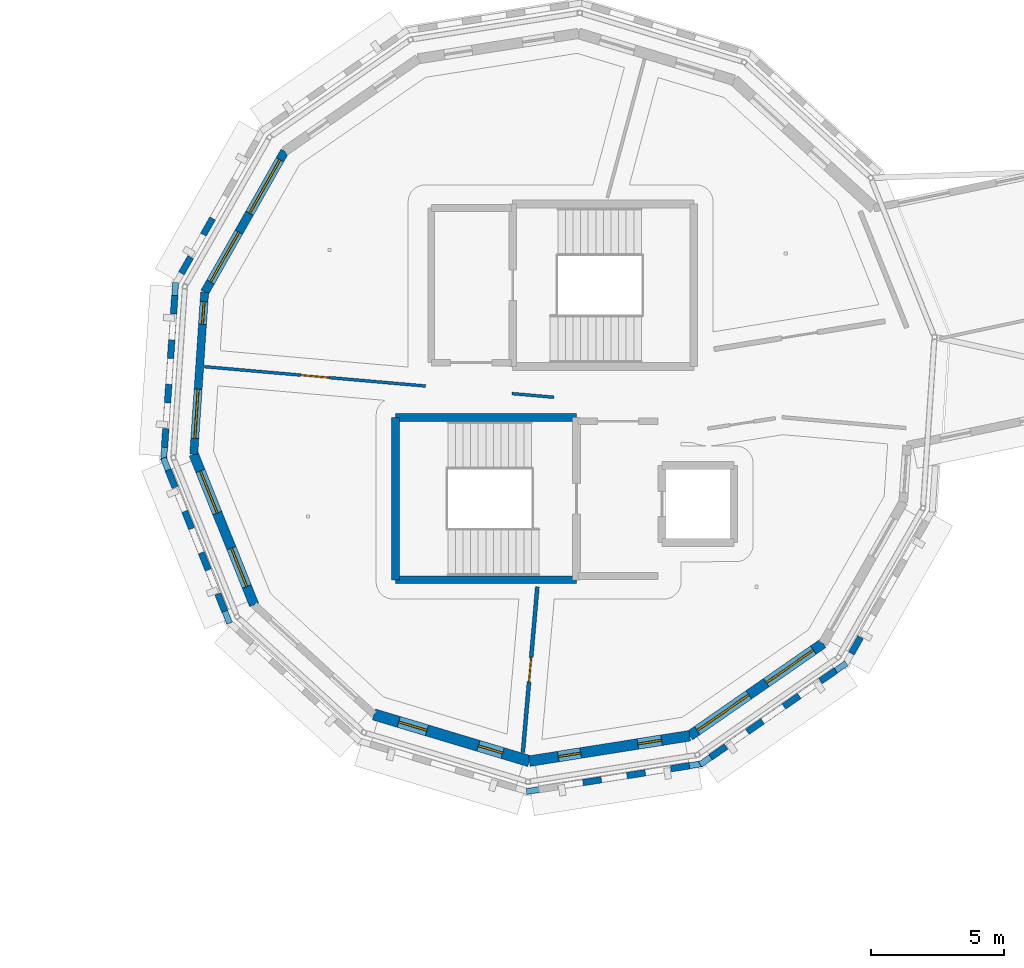
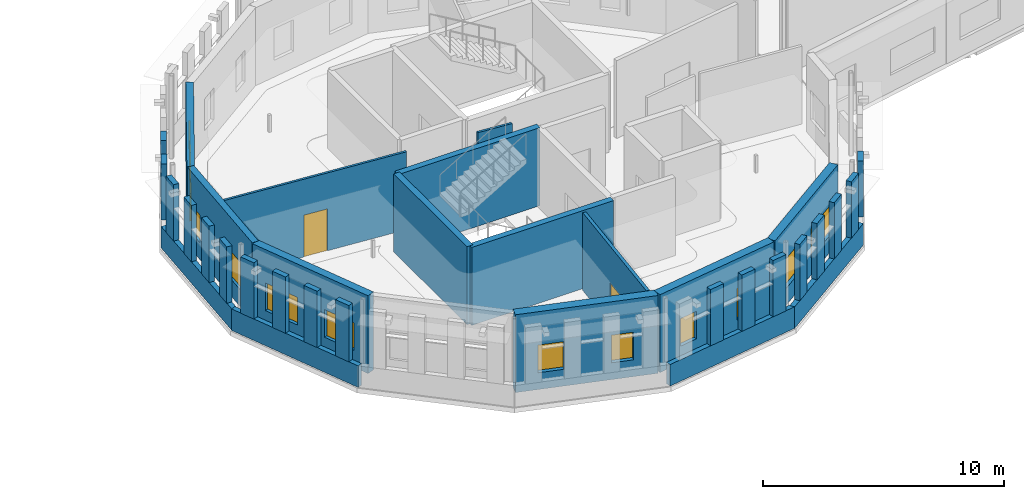
# One storey, part 41 of 68: 34 walls, 12 windows, 2 doors, 14 openings.
"""IFC4 building model written with IfcOpenShell, lengths in metres."""

from ifc_helpers import new_model, si_unit, direction, frame, frame_2d, origin, place, context, subcontext, project, spatial, rectangle, extrude, material, layer, layer_set, type_object, element, fill, save


model = new_model("IFC4")

# Units and contexts
model_context = context("Model", 3, precision=1e-05, world=origin(), true_north=direction((0.0, 1.0)))
body_context = subcontext(model_context, "Body", "Model", "MODEL_VIEW")
ifc_project = project(units=[si_unit("LENGTHUNIT", "METRE"), si_unit("AREAUNIT", "SQUARE_METRE"), si_unit("VOLUMEUNIT", "CUBIC_METRE"), si_unit("PLANEANGLEUNIT", "RADIAN"), si_unit("MASSUNIT", "GRAM", prefix="KILO")], contexts=[model_context])

# Site, building, storey
site_placement = place(None, origin())
site = spatial("IfcSite", under=ifc_project, at=site_placement, CompositionType="ELEMENT")
building_placement = place(site_placement, origin())
building = spatial("IfcBuilding", under=site, at=building_placement, Name="Wrenclough Park School", CompositionType="ELEMENT")
storey_placement = place(building_placement, frame((0.0, 0.0, 12.60009765625)))
storey = spatial("IfcBuildingStorey", under=building, at=storey_placement, Name="L03", CompositionType="ELEMENT", Elevation=12.60009765625)

# Walls
ifc_material_1 = material(Name="Perforated open-bond Staffordshire and Manchester brick screen pier", Category="masonry")
ifc_layer_1 = layer(ifc_material_1, 0.2451171875)
ifc_layer_set_1 = layer_set([ifc_layer_1], Name="Perforated open-bond Staffordshire and Manchester brick screen pier")
wall_type_1 = type_object("IfcWallType", Name="ENV-BS-PR245", PredefinedType="ELEMENTEDWALL", material=ifc_layer_set_1)
wall_1_placement = place(storey_placement, frame((70.19873046875, 115.207275390625, 1.08984375), z_axis=(0.0, 0.0, 1.0), x_axis=(-0.493548557981, -0.869718242257, 0.0)))
element("IfcWall", 1, at=wall_1_placement, inside=storey, type_object=wall_type_1, Name="D4 L03 perforated brick screen pier 0817", PredefinedType="ELEMENTEDWALL", context=body_context, shape_type="SweptSolid", body=[
    extrude(rectangle(XDim=0.700927734375, YDim=0.2451171875, at=frame_2d((0.3505859375, 0.0))), origin(), (0.0, 0.0, 1.0), 2.85009765625),
])
wall_2_placement = place(storey_placement, frame((69.375, 113.755859375, 1.08984375), z_axis=(0.0, 0.0, 1.0), x_axis=(-0.49339908657, -0.869803047461, 0.0)))
element("IfcWall", 2, at=wall_2_placement, inside=storey, type_object=wall_type_1, Name="D4 L03 perforated brick screen pier 0818", PredefinedType="ELEMENTEDWALL", context=body_context, shape_type="SweptSolid", body=[
    extrude(rectangle(XDim=0.701171875, YDim=0.2451171875, at=frame_2d((0.3505859375, 0.0))), origin(), (0.0, 0.0, 1.0), 2.85009765625),
])
wall_3_placement = place(storey_placement, frame((68.78076171875, 112.319091796875, 1.08984375), z_axis=(0.0, 0.0, 1.0), x_axis=(-0.067212414297, -0.997738688918, 0.0)))
element("IfcWall", 3, at=wall_3_placement, inside=storey, type_object=wall_type_1, Name="D4 L03 perforated brick screen pier 0819", PredefinedType="ELEMENTEDWALL", context=body_context, shape_type="SweptSolid", body=[
    extrude(rectangle(XDim=0.700927734375, YDim=0.2451171875, at=frame_2d((0.3505859375, 0.0))), origin(), (0.0, 0.0, 1.0), 2.85009765625),
])
wall_4_placement = place(storey_placement, frame((68.66845703125, 110.65380859375, 1.08984375), z_axis=(0.0, 0.0, 1.0), x_axis=(-0.067235776247, -0.997737114872, 0.0)))
element("IfcWall", 4, at=wall_4_placement, inside=storey, type_object=wall_type_1, Name="D4 L03 perforated brick screen pier 0820", PredefinedType="ELEMENTEDWALL", context=body_context, shape_type="SweptSolid", body=[
    extrude(rectangle(XDim=0.70068359375, YDim=0.2451171875, at=frame_2d((0.350341796875, 0.0))), origin(), (0.0, 0.0, 1.0), 2.85009765625),
])
for number, where, z_axis, x_axis, name in (
    (5, (68.55615234375, 108.98876953125, 1.08984375), (0.0, 0.0, 1.0), (-0.067212414297, -0.997738688918, 0.0), "D4 L03 perforated brick screen pier 0821"),
    (6, (68.444091796875, 107.32373046875, 1.08984375), (0.0, 0.0, 1.0), (-0.067212414297, -0.997738688918, 0.0), "D4 L03 perforated brick screen pier 0822"),
    (7, (68.531982421875, 105.771240234375, 1.08984375), (0.0, 0.0, 1.0), (0.372291177019, -0.928115983869, 0.0), "D4 L03 perforated brick screen pier 0823"),
    (8, (69.1533203125, 104.222412109375, 1.08984375), (0.0, 0.0, 1.0), (0.372291177019, -0.928115983869, 0.0), "D4 L03 perforated brick screen pier 0824"),
    (9, (69.774658203125, 102.67333984375, 1.08984375), (0.0, 0.0, 1.0), (0.372291177019, -0.928115983869, 0.0), "D4 L03 perforated brick screen pier 0825"),
    (10, (70.39599609375, 101.12451171875, 1.08984375), (0.0, 0.0, 1.0), (0.372291177019, -0.928115983869, 0.0), "D4 L03 perforated brick screen pier 0826"),
    (11, (84.089111328125, 94.048583984375, 1.08984375), (0.0, 0.0, 1.0), (0.987697931756, 0.156373896812, 0.0), "D4 L03 perforated brick screen pier 0836"),
    (12, (85.737548828125, 94.309814453125, 1.08984375), (0.0, 0.0, 1.0), (0.987751666832, 0.156034113801, 0.0), "D4 L03 perforated brick screen pier 0837"),
    (13, (87.3857421875, 94.57080078125, 1.08984375), (0.0, 0.0, 1.0), (0.987697931756, 0.156373896812, 0.0), "D4 L03 perforated brick screen pier 0838"),
    (14, (88.879638671875, 95.001953125, 1.08984375), (0.0, 0.0, 1.0), (0.822004061083, 0.569481627064, 0.0), "D4 L03 perforated brick screen pier 0839"),
    (15, (90.251708984375, 95.952392578125, 1.08984375), (0.0, 0.0, 1.0), (0.822004061083, 0.569481627064, 0.0), "D4 L03 perforated brick screen pier 0840"),
):
    element("IfcWall", number, at=place(storey_placement, frame(where, z_axis=z_axis, x_axis=x_axis)), inside=storey, type_object=wall_type_1, Name=name, PredefinedType="ELEMENTEDWALL", context=body_context, shape_type="SweptSolid", body=[
        extrude(rectangle(XDim=0.700927734375, YDim=0.2451171875, at=frame_2d((0.3505859375, 0.0))), origin(), (0.0, 0.0, 1.0), 2.85009765625),
    ])
wall_5_placement = place(storey_placement, frame((91.623291015625, 96.902587890625, 1.08984375), z_axis=(0.0, 0.0, 1.0), x_axis=(0.821953993254, 0.569553889438, 0.0)))
element("IfcWall", 16, at=wall_5_placement, inside=storey, type_object=wall_type_1, Name="D4 L03 perforated brick screen pier 0841", PredefinedType="ELEMENTEDWALL", context=body_context, shape_type="SweptSolid", body=[
    extrude(rectangle(XDim=0.701171875, YDim=0.2451171875, at=frame_2d((0.3505859375, 0.0))), origin(), (0.0, 0.0, 1.0), 2.85009765625),
])
for number, where, z_axis, x_axis, name in (
    (17, (92.995361328125, 97.85302734375, 1.08984375), (0.0, 0.0, 1.0), (0.822004061083, 0.569481627064, 0.0), "D4 L03 perforated brick screen pier 0842"),
    (18, (94.154052734375, 98.8896484375, 1.08984375), (0.0, 0.0, 1.0), (0.493548557981, 0.869718242257, 0.0), "D4 L03 perforated brick screen pier 0843"),
):
    element("IfcWall", number, at=place(storey_placement, frame(where, z_axis=z_axis, x_axis=x_axis)), inside=storey, type_object=wall_type_1, Name=name, PredefinedType="ELEMENTEDWALL", context=body_context, shape_type="SweptSolid", body=[
        extrude(rectangle(XDim=0.700927734375, YDim=0.2451171875, at=frame_2d((0.3505859375, 0.0))), origin(), (0.0, 0.0, 1.0), 2.85009765625),
    ])
ifc_material_2 = material(Name="Open-bond Manchester multi-stock brick spandrel screen", Category="masonry")
ifc_layer_2 = layer(ifc_material_2, 0.22509765625)
ifc_layer_set_2 = layer_set([ifc_layer_2], Name="Open-bond Manchester multi-stock brick spandrel screen")
wall_type_2 = type_object("IfcWallType", Name="ENV-BS-SP225", PredefinedType="ELEMENTEDWALL", material=ifc_layer_set_2)
for number, where, z_axis, x_axis, name in (
    (19, (68.813232421875, 112.802001953125, 0.0), (0.0, 0.0, 1.0), (-0.067254462218, -0.997735855481, 0.0), "D4 L03 open-bond brick screen spandrel 0219"),
    (20, (68.351806640625, 106.220458984375, 0.0), (0.0, 0.0, 1.0), (0.372298482328, -0.928113053489, 0.0), "D4 L03 open-bond brick screen spandrel 0220"),
):
    element("IfcWall", number, at=place(storey_placement, frame(where, z_axis=z_axis, x_axis=x_axis)), inside=storey, type_object=wall_type_2, Name=name, PredefinedType="ELEMENTEDWALL", context=body_context, shape_type="SweptSolid", body=[
        extrude(rectangle(XDim=6.67578125, YDim=0.22509765625, at=frame_2d((3.337890625, 0.0))), origin(), (0.0, 0.0, 1.0), 1.08984375),
    ])
for number, where, z_axis, x_axis, name in (
    (21, (81.962890625, 93.7119140625, 0.0), (0.0, 0.0, 1.0), (0.987690206406, 0.156422684322, 0.0), "D4 L03 open-bond brick screen spandrel 0223"),
    (22, (88.48193359375, 94.726318359375, 0.0), (0.0, 0.0, 1.0), (0.822009139105, 0.56947429725, 0.0), "D4 L03 open-bond brick screen spandrel 0224"),
):
    element("IfcWall", number, at=place(storey_placement, frame(where, z_axis=z_axis, x_axis=x_axis)), inside=storey, type_object=wall_type_2, Name=name, PredefinedType="ELEMENTEDWALL", context=body_context, shape_type="SweptSolid", body=[
        extrude(rectangle(XDim=6.675537109375, YDim=0.22509765625, at=frame_2d((3.337890625, 0.0))), origin(), (0.0, 0.0, 1.0), 1.08984375),
    ])

# Wall, openings, windows
ifc_material_3 = material(Name="Manchester multi-stock brick and Concrete C32/40 inner leaf", Category="masonry")
ifc_layer_3 = layer(ifc_material_3, 0.300048828125)
ifc_layer_set_3 = layer_set([ifc_layer_3], Name="Manchester multi-stock brick and Concrete C32/40 inner leaf")
wall_type_3 = type_object("IfcWallType", Name="ENV-EW-300", PredefinedType="SOLIDWALL", material=ifc_layer_set_3)
wall_6_placement = place(storey_placement, frame((69.491455078125, 106.360595703125, 0.0), z_axis=(0.0, 0.0, 1.0), x_axis=(0.067267090215, 0.997735004184, 0.0)))
wall_6 = element("IfcWall", 23, at=wall_6_placement, inside=storey, type_object=wall_type_3, Name="L03 insulated brick external wall 0272", PredefinedType="SOLIDWALL", context=body_context, shape_type="SweptSolid", body=[
    extrude(rectangle(XDim=6.08642578125, YDim=0.300048828125, at=frame_2d((3.043212890625, 0.0))), origin(), (0.0, 0.0, 1.0), 3.93994140625),
])
opening_1_placement = place(wall_6_placement, frame((0.5966796875, 0.0, 0.85009765625)))
opening_1 = element("IfcOpeningElement", 24, at=opening_1_placement, cuts=wall_6, Name="Opening WN-08", PredefinedType="OPENING", context=body_context, shape_type="SweptSolid", body=[
    extrude(rectangle(XDim=1.85009765625, YDim=1.39990234375, at=frame_2d((0.925048828125, 0.699951171875))), frame((0.0, 0.159912109375, 0.0), z_axis=(0.0, -1.0, 0.0), x_axis=(1.0, 0.0, 0.0)), (0.0, 0.0, 1.0), 0.320068359375),
])
opening_2_placement = place(wall_6_placement, frame((4.88671875, 0.0, 0.85009765625)))
opening_2 = element("IfcOpeningElement", 25, at=opening_2_placement, cuts=wall_6, Name="Opening WN-01", PredefinedType="OPENING", context=body_context, shape_type="SweptSolid", body=[
    extrude(rectangle(XDim=0.85009765625, YDim=1.39990234375, at=frame_2d((0.425048828125, 0.699951171875))), frame((0.0, 0.159912109375, 0.0), z_axis=(0.0, -1.0, 0.0), x_axis=(1.0, 0.0, 0.0)), (0.0, 0.0, 1.0), 0.320068359375),
])
ifc_material_4 = material(Name="Thermally broken aluminium and double-glazed low-e glass", Category="aluminium")
window_type_1 = type_object("IfcWindowType", Name="ENV-WN-01", PartitioningType="SINGLE_PANEL", PredefinedType="WINDOW", material=ifc_material_4)
window_1_placement = place(opening_2_placement, origin())
window_1 = element("IfcWindow", 26, at=window_1_placement, inside=storey, type_object=window_type_1, Name="L03 scheduled facade window 0456", OverallHeight=1.39990234375, OverallWidth=0.85009765625, PartitioningType="SINGLE_PANEL", PredefinedType="WINDOW", context=body_context, shape_type="SweptSolid", body=[
    extrude(rectangle(XDim=0.85009765625, YDim=1.39990234375, at=frame_2d((0.425048828125, 0.699951171875))), frame((0.0, 0.030029296875, 0.0), z_axis=(0.0, -1.0, 0.0), x_axis=(1.0, 0.0, 0.0)), (0.0, 0.0, 1.0), 0.06005859375),
])
fill(opening_2, window_1)
window_type_2 = type_object("IfcWindowType", Name="ENV-WN-08", PartitioningType="DOUBLE_PANEL_VERTICAL", PredefinedType="WINDOW", material=ifc_material_4)
window_2_placement = place(opening_1_placement, origin())
window_2 = element("IfcWindow", 27, at=window_2_placement, inside=storey, type_object=window_type_2, Name="L03 scheduled facade window 0455", OverallHeight=1.39990234375, OverallWidth=1.85009765625, PartitioningType="SINGLE_PANEL", PredefinedType="WINDOW", context=body_context, shape_type="SweptSolid", body=[
    extrude(rectangle(XDim=1.85009765625, YDim=1.39990234375, at=frame_2d((0.925048828125, 0.699951171875))), frame((0.0, 0.030029296875, 0.0), z_axis=(0.0, -1.0, 0.0), x_axis=(1.0, 0.0, 0.0)), (0.0, 0.0, 1.0), 0.06005859375),
])
fill(opening_1, window_2)

ifc_layer_4 = layer(ifc_material_3, 0.324951171875)
ifc_layer_set_4 = layer_set([ifc_layer_4], Name="Manchester multi-stock brick and Concrete C32/40 inner leaf")
wall_type_4 = type_object("IfcWallType", Name="ENV-EW-325", PredefinedType="SOLIDWALL", material=ifc_layer_set_4)
wall_7_placement = place(storey_placement, frame((69.90087890625, 112.433349609375, 0.0), z_axis=(0.0, 0.0, 1.0), x_axis=(0.49349318979, 0.869749660322, 0.0)))
wall_7 = element("IfcWall", 28, at=wall_7_placement, inside=storey, type_object=wall_type_4, Name="L03 insulated brick external wall 0273", PredefinedType="SOLIDWALL", context=body_context, shape_type="SweptSolid", body=[
    extrude(rectangle(XDim=6.0869140625, YDim=0.324951171875, at=frame_2d((3.04345703125, 0.0))), origin(), (0.0, 0.0, 1.0), 3.93994140625),
])
opening_3_placement = place(wall_7_placement, frame((0.44677734375, 0.0, 0.85009765625)))
opening_3 = element("IfcOpeningElement", 29, at=opening_3_placement, cuts=wall_7, Name="Opening WN-10", PredefinedType="OPENING", context=body_context, shape_type="SweptSolid", body=[
    extrude(rectangle(XDim=2.14990234375, YDim=1.39990234375, at=frame_2d((1.074951171875, 0.699951171875))), frame((0.0, 0.17236328125, 0.0), z_axis=(0.0, -1.0, 0.0), x_axis=(1.0, 0.0, 0.0)), (0.0, 0.0, 1.0), 0.344970703125),
])
opening_4_placement = place(wall_7_placement, frame((3.415283203125, 0.0, 0.85009765625)))
opening_4 = element("IfcOpeningElement", 30, at=opening_4_placement, cuts=wall_7, Name="Opening WN-11", PredefinedType="OPENING", context=body_context, shape_type="SweptSolid", body=[
    extrude(rectangle(XDim=2.300048828125, YDim=1.39990234375, at=frame_2d((1.14990234375, 0.699951171875))), frame((0.0, 0.17236328125, 0.0), z_axis=(0.0, -1.0, 0.0), x_axis=(1.0, 0.0, 0.0)), (0.0, 0.0, 1.0), 0.344970703125),
])
window_type_3 = type_object("IfcWindowType", Name="ENV-WN-10", PartitioningType="DOUBLE_PANEL_VERTICAL", PredefinedType="WINDOW", material=ifc_material_4)
window_3_placement = place(opening_3_placement, origin())
window_3 = element("IfcWindow", 31, at=window_3_placement, inside=storey, type_object=window_type_3, Name="L03 scheduled facade window 0457", OverallHeight=1.39990234375, OverallWidth=2.14990234375, PartitioningType="SINGLE_PANEL", PredefinedType="WINDOW", context=body_context, shape_type="SweptSolid", body=[
    extrude(rectangle(XDim=2.14990234375, YDim=1.39990234375, at=frame_2d((1.074951171875, 0.699951171875))), frame((0.0, 0.030029296875, 0.0), z_axis=(0.0, -1.0, 0.0), x_axis=(1.0, 0.0, 0.0)), (0.0, 0.0, 1.0), 0.06005859375),
])
fill(opening_3, window_3)
window_type_4 = type_object("IfcWindowType", Name="ENV-WN-11", PartitioningType="DOUBLE_PANEL_VERTICAL", PredefinedType="WINDOW", material=ifc_material_4)
window_4_placement = place(opening_4_placement, origin())
window_4 = element("IfcWindow", 32, at=window_4_placement, inside=storey, type_object=window_type_4, Name="L03 scheduled facade window 0458", OverallHeight=1.39990234375, OverallWidth=2.300048828125, PartitioningType="SINGLE_PANEL", PredefinedType="WINDOW", context=body_context, shape_type="SweptSolid", body=[
    extrude(rectangle(XDim=2.300048828125, YDim=1.39990234375, at=frame_2d((1.14990234375, 0.699951171875))), frame((0.0, 0.030029296875, 0.0), z_axis=(0.0, -1.0, 0.0), x_axis=(1.0, 0.0, 0.0)), (0.0, 0.0, 1.0), 0.06005859375),
])
fill(opening_4, window_4)

ifc_material_5 = material(Name="Faceted courtyard brick-cavity wall Concrete C35/45", Category="masonry")
ifc_layer_5 = layer(ifc_material_5, 0.364990234375)
ifc_layer_set_5 = layer_set([ifc_layer_5], Name="Faceted courtyard brick-cavity wall Concrete C35/45")
wall_type_5 = type_object("IfcWallType", Name="ENV-EW-365", PredefinedType="SOLIDWALL", material=ifc_layer_set_5)
wall_8_placement = place(storey_placement, frame((71.757568359375, 100.711181640625, 0.0), z_axis=(0.0, 0.0, 1.0), x_axis=(-0.37228949167, 0.928116659905, 0.0)))
wall_8 = element("IfcWall", 33, at=wall_8_placement, inside=storey, type_object=wall_type_5, Name="L03 insulated brick external wall 0271", PredefinedType="SOLIDWALL", context=body_context, shape_type="SweptSolid", body=[
    extrude(rectangle(XDim=6.0869140625, YDim=0.364990234375, at=frame_2d((3.04345703125, 0.0))), origin(), (0.0, 0.0, 1.0), 3.93994140625),
])
opening_5_placement = place(wall_8_placement, frame((0.74658203125, 0.0, 0.85009765625)))
opening_5 = element("IfcOpeningElement", 34, at=opening_5_placement, cuts=wall_8, Name="Opening WN-06", PredefinedType="OPENING", context=body_context, shape_type="SweptSolid", body=[
    extrude(rectangle(XDim=1.550048828125, YDim=1.39990234375, at=frame_2d((0.77490234375, 0.699951171875))), frame((0.0, 0.1923828125, 0.0), z_axis=(0.0, -1.0, 0.0), x_axis=(1.0, 0.0, 0.0)), (0.0, 0.0, 1.0), 0.385009765625),
])
opening_6_placement = place(wall_8_placement, frame((3.715087890625, 0.0, 0.85009765625)))
opening_6 = element("IfcOpeningElement", 35, at=opening_6_placement, cuts=wall_8, Name="Opening WN-07", PredefinedType="OPENING", context=body_context, shape_type="SweptSolid", body=[
    extrude(rectangle(XDim=1.699951171875, YDim=1.39990234375, at=frame_2d((0.85009765625, 0.699951171875))), frame((0.0, 0.1923828125, 0.0), z_axis=(0.0, -1.0, 0.0), x_axis=(1.0, 0.0, 0.0)), (0.0, 0.0, 1.0), 0.385009765625),
])
window_type_5 = type_object("IfcWindowType", Name="ENV-WN-06", PartitioningType="DOUBLE_PANEL_VERTICAL", PredefinedType="WINDOW", material=ifc_material_4)
window_5_placement = place(opening_5_placement, origin())
window_5 = element("IfcWindow", 36, at=window_5_placement, inside=storey, type_object=window_type_5, Name="L03 scheduled facade window 0453", OverallHeight=1.39990234375, OverallWidth=1.550048828125, PartitioningType="SINGLE_PANEL", PredefinedType="WINDOW", context=body_context, shape_type="SweptSolid", body=[
    extrude(rectangle(XDim=1.550048828125, YDim=1.39990234375, at=frame_2d((0.77490234375, 0.699951171875))), frame((0.0, 0.030029296875, 0.0), z_axis=(0.0, -1.0, 0.0), x_axis=(1.0, 0.0, 0.0)), (0.0, 0.0, 1.0), 0.06005859375),
])
fill(opening_5, window_5)
window_type_6 = type_object("IfcWindowType", Name="ENV-WN-07", PartitioningType="DOUBLE_PANEL_VERTICAL", PredefinedType="WINDOW", material=ifc_material_4)
window_6_placement = place(opening_6_placement, origin())
window_6 = element("IfcWindow", 37, at=window_6_placement, inside=storey, type_object=window_type_6, Name="L03 scheduled facade window 0454", OverallHeight=1.39990234375, OverallWidth=1.699951171875, PartitioningType="SINGLE_PANEL", PredefinedType="WINDOW", context=body_context, shape_type="SweptSolid", body=[
    extrude(rectangle(XDim=1.699951171875, YDim=1.39990234375, at=frame_2d((0.85009765625, 0.699951171875))), frame((0.0, 0.030029296875, 0.0), z_axis=(0.0, -1.0, 0.0), x_axis=(1.0, 0.0, 0.0)), (0.0, 0.0, 1.0), 0.06005859375),
])
fill(opening_6, window_6)

ifc_material_6 = material(Name="Manchester multi-stock brick and Concrete C35/45 inner leaf", Category="masonry")
ifc_layer_6 = layer(ifc_material_6, 0.3798828125)
ifc_layer_set_6 = layer_set([ifc_layer_6], Name="Manchester multi-stock brick and Concrete C35/45 inner leaf")
wall_type_6 = type_object("IfcWallType", Name="ENV-EW-380", PredefinedType="SOLIDWALL", material=ifc_layer_set_6)
wall_9_placement = place(storey_placement, frame((93.09521484375, 99.2724609375, 0.0), z_axis=(0.0, 0.0, 1.0), x_axis=(-0.821994314634, -0.569495695075, 0.0)))
wall_9 = element("IfcWall", 38, at=wall_9_placement, inside=storey, type_object=wall_type_6, Name="L03 insulated brick external wall 0267", PredefinedType="SOLIDWALL", context=body_context, shape_type="SweptSolid", body=[
    extrude(rectangle(XDim=6.086669921875, YDim=0.3798828125, at=frame_2d((3.04345703125, 0.0))), origin(), (0.0, 0.0, 1.0), 3.93994140625),
])
opening_7_placement = place(wall_9_placement, frame((0.446533203125, 0.0, 0.85009765625)))
opening_7 = element("IfcOpeningElement", 39, at=opening_7_placement, cuts=wall_9, Name="Opening WN-54", PredefinedType="OPENING", context=body_context, shape_type="SweptSolid", body=[
    extrude(rectangle(XDim=2.14990234375, YDim=1.5, at=frame_2d((1.074951171875, 0.75))), frame((0.0, 0.199951171875, 0.0), z_axis=(0.0, -1.0, 0.0), x_axis=(1.0, 0.0, 0.0)), (0.0, 0.0, 1.0), 0.39990234375),
])
opening_8_placement = place(wall_9_placement, frame((3.389892578125, 0.0, 0.85009765625)))
opening_8 = element("IfcOpeningElement", 40, at=opening_8_placement, cuts=wall_9, Name="Opening WN-55", PredefinedType="OPENING", context=body_context, shape_type="SweptSolid", body=[
    extrude(rectangle(XDim=2.35009765625, YDim=1.5, at=frame_2d((1.175048828125, 0.75))), frame((0.0, 0.199951171875, 0.0), z_axis=(0.0, -1.0, 0.0), x_axis=(1.0, 0.0, 0.0)), (0.0, 0.0, 1.0), 0.39990234375),
])
window_type_7 = type_object("IfcWindowType", Name="ENV-WN-54", PartitioningType="DOUBLE_PANEL_VERTICAL", PredefinedType="WINDOW", material=ifc_material_4)
window_7_placement = place(opening_7_placement, origin())
window_7 = element("IfcWindow", 41, at=window_7_placement, inside=storey, type_object=window_type_7, Name="L03 scheduled facade window 0445", OverallHeight=1.5, OverallWidth=2.14990234375, PartitioningType="SINGLE_PANEL", PredefinedType="WINDOW", context=body_context, shape_type="SweptSolid", body=[
    extrude(rectangle(XDim=2.14990234375, YDim=1.5, at=frame_2d((1.074951171875, 0.75))), frame((0.0, 0.030029296875, 0.0), z_axis=(0.0, -1.0, 0.0), x_axis=(1.0, 0.0, 0.0)), (0.0, 0.0, 1.0), 0.06005859375),
])
fill(opening_7, window_7)
window_type_8 = type_object("IfcWindowType", Name="ENV-WN-55", PartitioningType="DOUBLE_PANEL_VERTICAL", PredefinedType="WINDOW", material=ifc_material_4)
window_8_placement = place(opening_8_placement, origin())
window_8 = element("IfcWindow", 42, at=window_8_placement, inside=storey, type_object=window_type_8, Name="L03 scheduled facade window 0446", OverallHeight=1.5, OverallWidth=2.35009765625, PartitioningType="SINGLE_PANEL", PredefinedType="WINDOW", context=body_context, shape_type="SweptSolid", body=[
    extrude(rectangle(XDim=2.35009765625, YDim=1.5, at=frame_2d((1.175048828125, 0.75))), frame((0.0, 0.030029296875, 0.0), z_axis=(0.0, -1.0, 0.0), x_axis=(1.0, 0.0, 0.0)), (0.0, 0.0, 1.0), 0.06005859375),
])
fill(opening_8, window_8)

ifc_material_7 = material(Name="Staffordshire blue-grey brick and Concrete C40/50 acoustic leaf", Category="masonry")
ifc_layer_7 = layer(ifc_material_7, 0.39990234375)
ifc_layer_set_7 = layer_set([ifc_layer_7], Name="Staffordshire blue-grey brick and Concrete C40/50 acoustic leaf")
wall_type_7 = type_object("IfcWallType", Name="ENV-EW-400", PredefinedType="SOLIDWALL", material=ifc_layer_set_7)
wall_10_placement = place(storey_placement, frame((88.092041015625, 95.80615234375, 0.0), z_axis=(0.0, 0.0, 1.0), x_axis=(-0.987690665759, -0.156419783824, 0.0)))
wall_10 = element("IfcWall", 43, at=wall_10_placement, inside=storey, type_object=wall_type_7, Name="L03 insulated brick external wall 0268", PredefinedType="SOLIDWALL", context=body_context, shape_type="SweptSolid", body=[
    extrude(rectangle(XDim=6.087158203125, YDim=0.39990234375, at=frame_2d((3.04345703125, 0.0))), origin(), (0.0, 0.0, 1.0), 3.93994140625),
])
opening_9_placement = place(wall_10_placement, frame((1.07177734375, 0.0, 0.85009765625)))
opening_9 = element("IfcOpeningElement", 44, at=opening_9_placement, cuts=wall_10, Name="Opening WN-13", PredefinedType="OPENING", context=body_context, shape_type="SweptSolid", body=[
    extrude(rectangle(XDim=0.89990234375, YDim=1.60009765625, at=frame_2d((0.449951171875, 0.800048828125))), frame((0.0, 0.2099609375, 0.0), z_axis=(0.0, -1.0, 0.0), x_axis=(1.0, 0.0, 0.0)), (0.0, 0.0, 1.0), 0.419921875),
])
opening_10_placement = place(wall_10_placement, frame((4.140380859375, 0.0, 0.85009765625)))
opening_10 = element("IfcOpeningElement", 45, at=opening_10_placement, cuts=wall_10, Name="Opening WN-01", PredefinedType="OPENING", context=body_context, shape_type="SweptSolid", body=[
    extrude(rectangle(XDim=0.85009765625, YDim=1.39990234375, at=frame_2d((0.425048828125, 0.699951171875))), frame((0.0, 0.2099609375, 0.0), z_axis=(0.0, -1.0, 0.0), x_axis=(1.0, 0.0, 0.0)), (0.0, 0.0, 1.0), 0.419921875),
])
window_9_placement = place(opening_10_placement, origin())
window_9 = element("IfcWindow", 46, at=window_9_placement, inside=storey, type_object=window_type_1, Name="L03 scheduled facade window 0448", OverallHeight=1.39990234375, OverallWidth=0.85009765625, PartitioningType="SINGLE_PANEL", PredefinedType="WINDOW", context=body_context, shape_type="SweptSolid", body=[
    extrude(rectangle(XDim=0.85009765625, YDim=1.39990234375, at=frame_2d((0.425048828125, 0.699951171875))), frame((0.0, 0.030029296875, 0.0), z_axis=(0.0, -1.0, 0.0), x_axis=(1.0, 0.0, 0.0)), (0.0, 0.0, 1.0), 0.06005859375),
])
fill(opening_10, window_9)
window_type_9 = type_object("IfcWindowType", Name="ENV-WN-13", PartitioningType="SINGLE_PANEL", PredefinedType="WINDOW", material=ifc_material_4)
window_10_placement = place(opening_9_placement, origin())
window_10 = element("IfcWindow", 47, at=window_10_placement, inside=storey, type_object=window_type_9, Name="L03 scheduled facade window 0447", OverallHeight=1.60009765625, OverallWidth=0.89990234375, PartitioningType="SINGLE_PANEL", PredefinedType="WINDOW", context=body_context, shape_type="SweptSolid", body=[
    extrude(rectangle(XDim=0.89990234375, YDim=1.60009765625, at=frame_2d((0.449951171875, 0.800048828125))), frame((0.0, 0.030029296875, 0.0), z_axis=(0.0, -1.0, 0.0), x_axis=(1.0, 0.0, 0.0)), (0.0, 0.0, 1.0), 0.06005859375),
])
fill(opening_9, window_10)

ifc_material_8 = material(Name="Insulated brick-clad sports hall wall Concrete C40/50", Category="masonry")
ifc_layer_8 = layer(ifc_material_8, 0.425048828125)
ifc_layer_set_8 = layer_set([ifc_layer_8], Name="Insulated brick-clad sports hall wall Concrete C40/50")
wall_type_8 = type_object("IfcWallType", Name="ENV-EW-425", PredefinedType="SOLIDWALL", material=ifc_layer_set_8)
wall_11_placement = place(storey_placement, frame((82.079833984375, 94.85400390625, 0.0), z_axis=(0.0, 0.0, 1.0), x_axis=(-0.957750075894, 0.28760179437, 0.0)))
wall_11 = element("IfcWall", 48, at=wall_11_placement, inside=storey, type_object=wall_type_8, Name="L03 insulated brick external wall 0269", PredefinedType="SOLIDWALL", context=body_context, shape_type="SweptSolid", body=[
    extrude(rectangle(XDim=6.08642578125, YDim=0.425048828125, at=frame_2d((3.043212890625, 0.0))), origin(), (0.0, 0.0, 1.0), 3.93994140625),
])
opening_11_placement = place(wall_11_placement, frame((1.046630859375, 0.0, 0.85009765625)))
opening_11 = element("IfcOpeningElement", 49, at=opening_11_placement, cuts=wall_11, Name="Opening WN-02", PredefinedType="OPENING", context=body_context, shape_type="SweptSolid", body=[
    extrude(rectangle(XDim=0.949951171875, YDim=1.39990234375, at=frame_2d((0.47509765625, 0.699951171875))), frame((0.0, 0.222412109375, 0.0), z_axis=(0.0, -1.0, 0.0), x_axis=(1.0, 0.0, 0.0)), (0.0, 0.0, 1.0), 0.445068359375),
])
opening_12_placement = place(wall_11_placement, frame((4.014892578125, 0.0, 0.85009765625)))
opening_12 = element("IfcOpeningElement", 50, at=opening_12_placement, cuts=wall_11, Name="Opening WN-03", PredefinedType="OPENING", context=body_context, shape_type="SweptSolid", body=[
    extrude(rectangle(XDim=1.10009765625, YDim=1.39990234375, at=frame_2d((0.550048828125, 0.699951171875))), frame((0.0, 0.222412109375, 0.0), z_axis=(0.0, -1.0, 0.0), x_axis=(1.0, 0.0, 0.0)), (0.0, 0.0, 1.0), 0.445068359375),
])
window_type_10 = type_object("IfcWindowType", Name="ENV-WN-02", PartitioningType="SINGLE_PANEL", PredefinedType="WINDOW", material=ifc_material_4)
window_11_placement = place(opening_11_placement, origin())
window_11 = element("IfcWindow", 51, at=window_11_placement, inside=storey, type_object=window_type_10, Name="L03 scheduled facade window 0449", OverallHeight=1.39990234375, OverallWidth=0.949951171875, PartitioningType="SINGLE_PANEL", PredefinedType="WINDOW", context=body_context, shape_type="SweptSolid", body=[
    extrude(rectangle(XDim=0.949951171875, YDim=1.39990234375, at=frame_2d((0.47509765625, 0.699951171875))), frame((0.0, 0.030029296875, 0.0), z_axis=(0.0, -1.0, 0.0), x_axis=(1.0, 0.0, 0.0)), (0.0, 0.0, 1.0), 0.06005859375),
])
fill(opening_11, window_11)
window_type_11 = type_object("IfcWindowType", Name="ENV-WN-03", PartitioningType="SINGLE_PANEL", PredefinedType="WINDOW", material=ifc_material_4)
window_12_placement = place(opening_12_placement, origin())
window_12 = element("IfcWindow", 52, at=window_12_placement, inside=storey, type_object=window_type_11, Name="L03 scheduled facade window 0450", OverallHeight=1.39990234375, OverallWidth=1.10009765625, PartitioningType="SINGLE_PANEL", PredefinedType="WINDOW", context=body_context, shape_type="SweptSolid", body=[
    extrude(rectangle(XDim=1.10009765625, YDim=1.39990234375, at=frame_2d((0.550048828125, 0.699951171875))), frame((0.0, 0.030029296875, 0.0), z_axis=(0.0, -1.0, 0.0), x_axis=(1.0, 0.0, 0.0)), (0.0, 0.0, 1.0), 0.06005859375),
])
fill(opening_12, window_12)

# Walls
ifc_material_9 = material(Name="Concrete C40/50", Category="concrete")
ifc_layer_9 = layer(ifc_material_9, 0.2900390625)
ifc_layer_set_9 = layer_set([ifc_layer_9], Name="Concrete C40/50")
wall_type_9 = type_object("IfcWallType", Name="INT-CW-290", PredefinedType="SHEAR", material=ifc_layer_set_9)
for number, where, z_axis, x_axis, name in (
    (53, (77.054931640625, 101.655029296875, 0.0), (0.0, 0.0, 1.0), (1.0, 0.0, 0.0), "Core C4 L03 south shear wall"),
    (54, (83.844970703125, 107.7451171875, 0.0), (0.0, 0.0, 1.0), (-1.0, 0.0, 0.0), "Core C4 L03 north shear wall"),
):
    element("IfcWall", number, at=place(storey_placement, frame(where, z_axis=z_axis, x_axis=x_axis)), inside=storey, type_object=wall_type_9, Name=name, PredefinedType="SHEAR", context=body_context, shape_type="SweptSolid", body=[
        extrude(rectangle(XDim=6.7900390625, YDim=0.2900390625, at=frame_2d((3.39501953125, 0.0))), origin(), (0.0, 0.0, 1.0), 3.949951171875),
    ])
wall_12_placement = place(storey_placement, frame((77.054931640625, 107.7451171875, 0.0), z_axis=(0.0, 0.0, 1.0), x_axis=(0.0, -1.0, 0.0)))
element("IfcWall", 55, at=wall_12_placement, inside=storey, type_object=wall_type_9, Name="Core C4 L03 west shear wall", PredefinedType="SHEAR", context=body_context, shape_type="SweptSolid", body=[
    extrude(rectangle(XDim=6.090087890625, YDim=0.2900390625, at=frame_2d((3.044921875, 0.0))), origin(), (0.0, 0.0, 1.0), 3.949951171875),
])

# Wall, opening, door
ifc_material_10 = material(Name="Lightweight fire-rated store partition", Category="gypsum")
ifc_layer_10 = layer(ifc_material_10, 0.110107421875)
ifc_layer_set_10 = layer_set([ifc_layer_10], Name="Lightweight fire-rated store partition")
wall_type_10 = type_object("IfcWallType", Name="INT-PW-110", PredefinedType="PARTITIONING", material=ifc_layer_set_10)
wall_13_placement = place(storey_placement, frame((69.888427734375, 109.647216796875, 0.0), z_axis=(0.0, 0.0, 1.0), x_axis=(0.996193494864, -0.087169494609, 0.0)))
wall_13 = element("IfcWall", 56, at=wall_13_placement, inside=storey, type_object=wall_type_10, Name="L03 internal partition 0472", PredefinedType="PARTITIONING", context=body_context, shape_type="SweptSolid", body=[
    extrude(rectangle(XDim=8.332275390625, YDim=0.110107421875, at=frame_2d((4.166015625, 0.0))), origin(), (0.0, 0.0, 1.0), 3.93994140625),
])
opening_13_placement = place(wall_13_placement, frame((3.626220703125, 0.0, 0.0)))
opening_13 = element("IfcOpeningElement", 57, at=opening_13_placement, cuts=wall_13, Name="Opening DR-L03-095", PredefinedType="OPENING", context=body_context, shape_type="SweptSolid", body=[
    extrude(rectangle(XDim=1.080078125, YDim=2.1201171875, at=frame_2d((0.5400390625, 1.06005859375))), frame((0.0, 0.06494140625, 0.0), z_axis=(0.0, -1.0, 0.0), x_axis=(1.0, 0.0, 0.0)), (0.0, 0.0, 1.0), 0.130126953125),
])
ifc_material_11 = material(Name="Sixth-form seminar room door assembly", Category="wood")
door_type_1 = type_object("IfcDoorType", Name="INT-DR-CL108", OperationType="NOTDEFINED", PredefinedType="DOOR", material=ifc_material_11)
door_1_placement = place(opening_13_placement, origin())
door_1 = element("IfcDoor", 58, at=door_1_placement, inside=storey, type_object=door_type_1, Name="Languages Classroom 2 door DR-L03-095", OperationType="SINGLE_SWING_RIGHT", OverallHeight=2.1201171875, OverallWidth=1.080078125, PredefinedType="DOOR", context=body_context, shape_type="SweptSolid", body=[
    extrude(rectangle(XDim=1.080078125, YDim=2.1201171875, at=frame_2d((0.5400390625, 1.06005859375))), frame((0.0, 0.02490234375, 0.0), z_axis=(0.0, -1.0, 0.0), x_axis=(1.0, 0.0, 0.0)), (0.0, 0.0, 1.0), 0.050048828125),
])
fill(opening_13, door_1)

# Wall
wall_14_placement = place(storey_placement, frame((81.431396484375, 108.63720703125, 0.0), z_axis=(0.0, 0.0, 1.0), x_axis=(0.996196241539, -0.08713809926, 0.0)))
element("IfcWall", 59, at=wall_14_placement, inside=storey, type_object=wall_type_10, Name="L03 internal partition 0473", PredefinedType="PARTITIONING", context=body_context, shape_type="SweptSolid", body=[
    extrude(rectangle(XDim=1.57470703125, YDim=0.110107421875, at=frame_2d((0.787353515625, 0.0))), origin(), (0.0, 0.0, 1.0), 3.93994140625),
])

# Wall, opening, door
ifc_material_12 = material(Name="Protected corridor partition", Category="gypsum")
ifc_layer_11 = layer(ifc_material_12, 0.14990234375)
ifc_layer_set_11 = layer_set([ifc_layer_11], Name="Protected corridor partition")
wall_type_11 = type_object("IfcWallType", Name="INT-PW-150", PredefinedType="PARTITIONING", material=ifc_layer_set_11)
wall_15_placement = place(storey_placement, frame((81.834228515625, 95.17578125, 0.0), z_axis=(0.0, 0.0, 1.0), x_axis=(0.08716792051, 0.996193632601, 0.0)))
wall_15 = element("IfcWall", 60, at=wall_15_placement, inside=storey, type_object=wall_type_11, Name="L03 internal partition 0475", PredefinedType="PARTITIONING", context=body_context, shape_type="SweptSolid", body=[
    extrude(rectangle(XDim=6.242919921875, YDim=0.14990234375, at=frame_2d((3.12158203125, 0.0))), origin(), (0.0, 0.0, 1.0), 3.93994140625),
])
opening_14_placement = place(wall_15_placement, frame((2.66162109375, 0.0, 0.0)))
opening_14 = element("IfcOpeningElement", 61, at=opening_14_placement, cuts=wall_15, Name="Opening DR-L03-096", PredefinedType="OPENING", context=body_context, shape_type="SweptSolid", body=[
    extrude(rectangle(XDim=0.919921875, YDim=2.080078125, at=frame_2d((0.4599609375, 1.0400390625))), frame((0.0, 0.0849609375, 0.0), z_axis=(0.0, -1.0, 0.0), x_axis=(1.0, 0.0, 0.0)), (0.0, 0.0, 1.0), 0.169921875),
])
ifc_material_13 = material(Name="Acoustic classroom single leaf vision door assembly", Category="wood")
door_type_2 = type_object("IfcDoorType", Name="INT-DR-CL092", OperationType="NOTDEFINED", PredefinedType="DOOR", material=ifc_material_13)
door_2_placement = place(opening_14_placement, origin())
door_2 = element("IfcDoor", 62, at=door_2_placement, inside=storey, type_object=door_type_2, Name="Mathematics Classroom 3 door DR-L03-096", OperationType="SINGLE_SWING_LEFT", OverallHeight=2.080078125, OverallWidth=0.919921875, PredefinedType="DOOR", context=body_context, shape_type="SweptSolid", body=[
    extrude(rectangle(XDim=0.919921875, YDim=2.080078125, at=frame_2d((0.4599609375, 1.0400390625))), frame((0.0, 0.02490234375, 0.0), z_axis=(0.0, -1.0, 0.0), x_axis=(1.0, 0.0, 0.0)), (0.0, 0.0, 1.0), 0.050048828125),
])
fill(opening_14, door_2)

save(model, "model.ifc")
